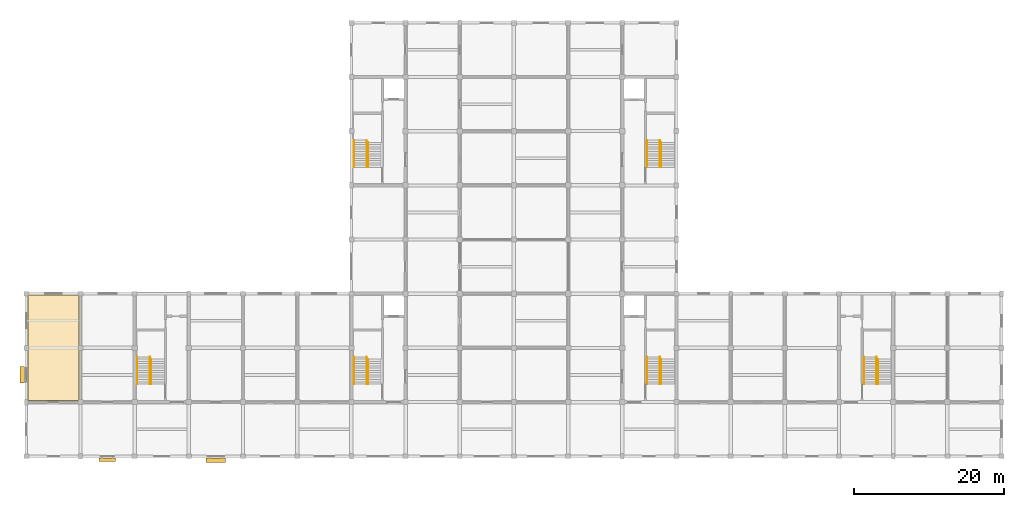
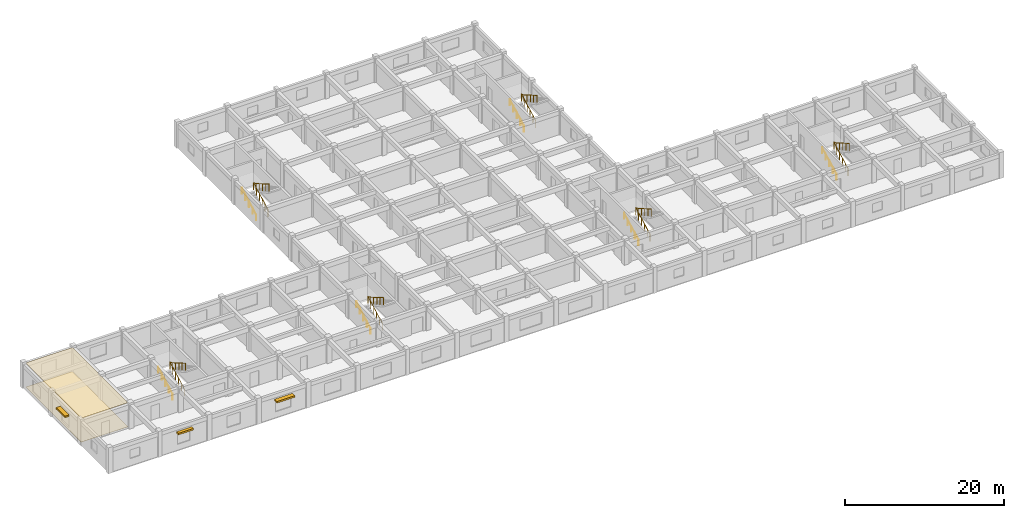
# One storey, part 11 of 11: 12 railings, 3 shading devices, 2 coverings.
"""IFC4 building model written with IfcOpenShell, lengths in metres."""

from ifc_helpers import new_model, si_unit, direction, frame, origin, origin_2d, place, context, subcontext, project, spatial, polyline, rectangle, circle, outline, extrude, material, layer, layer_set, type_object, element, save


model = new_model("IFC4")

# Units and contexts
model_context = context("Model", 3, precision=1e-05, world=origin(), true_north=direction((0.0, 1.0)))
body_context = subcontext(model_context, "Body", "Model", "MODEL_VIEW")
ifc_project = project(units=[si_unit("LENGTHUNIT", "METRE"), si_unit("AREAUNIT", "SQUARE_METRE"), si_unit("VOLUMEUNIT", "CUBIC_METRE"), si_unit("PLANEANGLEUNIT", "RADIAN"), si_unit("MASSUNIT", "GRAM", prefix="KILO")], contexts=[model_context])

# Site, building, storey
site_placement = place(None, origin())
site = spatial("IfcSite", under=ifc_project, at=site_placement, CompositionType="ELEMENT")
building_placement = place(site_placement, origin())
building = spatial("IfcBuilding", under=site, at=building_placement, Name="Cendaluz Park School", CompositionType="ELEMENT")
storey_placement = place(building_placement, frame((0.0, 0.0, 26.60009765625)))
storey = spatial("IfcBuildingStorey", under=building, at=storey_placement, Name="L06", CompositionType="ELEMENT", Elevation=26.60009765625)

# Coverings
ifc_material_1 = material(Name="Mineral Fibre Acoustic Tile")
ifc_layer_1 = layer(ifc_material_1, 0.030029296875)
ifc_layer_set_1 = layer_set([ifc_layer_1], Name="Mineral Fibre Acoustic Tile")
covering_type_1 = type_object("IfcCoveringType", Name="CV-CLG01", PredefinedType="CEILING", material=ifc_layer_set_1)
covering_1_placement = place(storey_placement, frame((0.0, 0.0, 3.699951171875)))
element("IfcCovering", 1, at=covering_1_placement, inside=storey, type_object=covering_type_1, Name="CV-CLG-L06-01", PredefinedType="CEILING", context=body_context, shape_type="SweptSolid", body=[
    extrude(outline(polyline([(21.800048828125, 14.60009765625), (28.60009765625, 14.60009765625), (28.60009765625, 28.60009765625), (21.800048828125, 28.60009765625), (21.800048828125, 14.60009765625)])), origin(), (0.0, 0.0, 1.0), 0.030029296875),
])
ifc_material_2 = material(Name="Polished Terrazzo Tile")
ifc_layer_2 = layer(ifc_material_2, 0.02001953125)
ifc_layer_set_2 = layer_set([ifc_layer_2], Name="Polished Terrazzo Tile")
covering_type_2 = type_object("IfcCoveringType", Name="CV-FLR01", PredefinedType="FLOORING", material=ifc_layer_set_2)
covering_2_placement = place(storey_placement, origin())
element("IfcCovering", 2, at=covering_2_placement, inside=storey, type_object=covering_type_2, Name="CV-FLR-L06-01", PredefinedType="FLOORING", context=body_context, shape_type="SweptSolid", body=[
    extrude(outline(polyline([(21.800048828125, 14.60009765625), (28.60009765625, 14.60009765625), (28.60009765625, 28.60009765625), (21.800048828125, 28.60009765625), (21.800048828125, 14.60009765625)])), origin(), (0.0, 0.0, 1.0), 0.02001953125),
])

# Railings
ifc_material_3 = material(Name="Wrought Iron")
railing_type_1 = type_object("IfcRailingType", Name="GR-ST01", PredefinedType="BALUSTRADE", material=ifc_material_3)
railing_1_placement = place(storey_placement, frame((66.840087890625, 16.800048828125, 0.159912109375)))
element("IfcRailing", 3, at=railing_1_placement, inside=storey, type_object=railing_type_1, Name="GR-ST-015", PredefinedType="BALUSTRADE", context=body_context, shape_type="SweptSolid", body=[
    extrude(circle(Radius=0.02392578125, at=origin_2d()), frame((0.0, 0.0, 1.076171875), z_axis=(0.0, 0.882352941176, 0.470588235294), x_axis=(-1.0, 0.0, 0.0)), (0.0, 0.0, 1.0), 4.079833984375),
    extrude(circle(Radius=0.02392578125, at=origin_2d()), frame((0.0, 3.599853515625, 2.99609375), z_axis=(0.493084071153, -0.86998166577, 0.0), x_axis=(0.86998166577, 0.493084071153, 0.0)), (0.0, 0.0, 1.0), 0.3447265625),
    extrude(circle(Radius=0.02392578125, at=origin_2d()), frame((0.169921875, 3.300048828125, 2.99609375), z_axis=(0.0, -0.86433267106, 0.502920504393), x_axis=(1.0, 0.0, 0.0)), (0.0, 0.0, 1.0), 3.818115234375),
    extrude(circle(Radius=0.02099609375, at=origin_2d()), origin(), (0.0, 0.0, 1.0), 1.052001953125),
    extrude(circle(Radius=0.02099609375, at=origin_2d()), frame((0.0, 0.719970703125, 0.384033203125)), (0.0, 0.0, 1.0), 1.052001953125),
    extrude(circle(Radius=0.02099609375, at=origin_2d()), frame((0.0, 1.43994140625, 0.76806640625)), (0.0, 0.0, 1.0), 1.052001953125),
    extrude(circle(Radius=0.02099609375, at=origin_2d()), frame((0.0, 2.159912109375, 1.15185546875)), (0.0, 0.0, 1.0), 1.052001953125),
    extrude(circle(Radius=0.02099609375, at=origin_2d()), frame((0.0, 2.8798828125, 1.535888671875)), (0.0, 0.0, 1.0), 1.052001953125),
    extrude(circle(Radius=0.02099609375, at=origin_2d()), frame((0.0, 3.599853515625, 1.919921875)), (0.0, 0.0, 1.0), 1.052001953125),
    extrude(circle(Radius=0.02099609375, at=origin_2d()), frame((0.169921875, 3.300048828125, 1.919921875)), (0.0, 0.0, 1.0), 1.052001953125),
    extrude(circle(Radius=0.02099609375, at=origin_2d()), frame((0.169921875, 2.47509765625, 2.39990234375)), (0.0, 0.0, 1.0), 1.052001953125),
    extrude(circle(Radius=0.02099609375, at=origin_2d()), frame((0.169921875, 1.64990234375, 2.8798828125)), (0.0, 0.0, 1.0), 1.052001953125),
    extrude(circle(Radius=0.02099609375, at=origin_2d()), frame((0.169921875, 0.824951171875, 3.360107421875)), (0.0, 0.0, 1.0), 1.052001953125),
    extrude(circle(Radius=0.02099609375, at=origin_2d()), frame((0.169921875, 0.0, 3.840087890625)), (0.0, 0.0, 1.0), 1.052001953125),
])
railing_2_placement = place(storey_placement, frame((105.7900390625, 16.800048828125, 0.159912109375)))
element("IfcRailing", 4, at=railing_2_placement, inside=storey, type_object=railing_type_1, Name="GR-ST-050", PredefinedType="BALUSTRADE", context=body_context, shape_type="SweptSolid", body=[
    extrude(circle(Radius=0.02392578125, at=origin_2d()), frame((0.0, 0.0, 1.076171875), z_axis=(0.0, 0.882352941176, 0.470588235294), x_axis=(-1.0, 0.0, 0.0)), (0.0, 0.0, 1.0), 4.079833984375),
    extrude(circle(Radius=0.02392578125, at=origin_2d()), frame((0.0, 3.599853515625, 2.99609375), z_axis=(0.493084071153, -0.86998166577, 0.0), x_axis=(0.86998166577, 0.493084071153, 0.0)), (0.0, 0.0, 1.0), 0.3447265625),
    extrude(circle(Radius=0.02392578125, at=origin_2d()), frame((0.169921875, 3.300048828125, 2.99609375), z_axis=(0.0, -0.86433267106, 0.502920504393), x_axis=(1.0, 0.0, 0.0)), (0.0, 0.0, 1.0), 3.818115234375),
    extrude(circle(Radius=0.02099609375, at=origin_2d()), origin(), (0.0, 0.0, 1.0), 1.052001953125),
    extrude(circle(Radius=0.02099609375, at=origin_2d()), frame((0.0, 0.719970703125, 0.384033203125)), (0.0, 0.0, 1.0), 1.052001953125),
    extrude(circle(Radius=0.02099609375, at=origin_2d()), frame((0.0, 1.43994140625, 0.76806640625)), (0.0, 0.0, 1.0), 1.052001953125),
    extrude(circle(Radius=0.02099609375, at=origin_2d()), frame((0.0, 2.159912109375, 1.15185546875)), (0.0, 0.0, 1.0), 1.052001953125),
    extrude(circle(Radius=0.02099609375, at=origin_2d()), frame((0.0, 2.8798828125, 1.535888671875)), (0.0, 0.0, 1.0), 1.052001953125),
    extrude(circle(Radius=0.02099609375, at=origin_2d()), frame((0.0, 3.599853515625, 1.919921875)), (0.0, 0.0, 1.0), 1.052001953125),
    extrude(circle(Radius=0.02099609375, at=origin_2d()), frame((0.169921875, 3.300048828125, 1.919921875)), (0.0, 0.0, 1.0), 1.052001953125),
    extrude(circle(Radius=0.02099609375, at=origin_2d()), frame((0.169921875, 2.47509765625, 2.39990234375)), (0.0, 0.0, 1.0), 1.052001953125),
    extrude(circle(Radius=0.02099609375, at=origin_2d()), frame((0.169921875, 1.64990234375, 2.8798828125)), (0.0, 0.0, 1.0), 1.052001953125),
    extrude(circle(Radius=0.02099609375, at=origin_2d()), frame((0.169921875, 0.824951171875, 3.360107421875)), (0.0, 0.0, 1.0), 1.052001953125),
    extrude(circle(Radius=0.02099609375, at=origin_2d()), frame((0.169921875, 0.0, 3.840087890625)), (0.0, 0.0, 1.0), 1.052001953125),
])
railing_3_placement = place(storey_placement, frame((66.840087890625, 45.60009765625, 0.159912109375)))
element("IfcRailing", 5, at=railing_3_placement, inside=storey, type_object=railing_type_1, Name="GR-ST-085", PredefinedType="BALUSTRADE", context=body_context, shape_type="SweptSolid", body=[
    extrude(circle(Radius=0.02392578125, at=origin_2d()), frame((0.0, 0.0, 1.076171875), z_axis=(0.0, 0.882352941176, 0.470588235294), x_axis=(-1.0, 0.0, 0.0)), (0.0, 0.0, 1.0), 4.079833984375),
    extrude(circle(Radius=0.02392578125, at=origin_2d()), frame((0.0, 3.599853515625, 2.99609375), z_axis=(0.492780319847, -0.870153754443, 0.0), x_axis=(0.870153754443, 0.492780319847, 0.0)), (0.0, 0.0, 1.0), 0.3447265625),
    extrude(circle(Radius=0.02392578125, at=origin_2d()), frame((0.169921875, 3.2998046875, 2.99609375), z_axis=(0.0, -0.864316496394, 0.502948301579), x_axis=(1.0, 0.0, 0.0)), (0.0, 0.0, 1.0), 3.81787109375),
    extrude(circle(Radius=0.02099609375, at=origin_2d()), origin(), (0.0, 0.0, 1.0), 1.052001953125),
    extrude(circle(Radius=0.02099609375, at=origin_2d()), frame((0.0, 0.719970703125, 0.384033203125)), (0.0, 0.0, 1.0), 1.052001953125),
    extrude(circle(Radius=0.02099609375, at=origin_2d()), frame((0.0, 1.43994140625, 0.76806640625)), (0.0, 0.0, 1.0), 1.052001953125),
    extrude(circle(Radius=0.02099609375, at=origin_2d()), frame((0.0, 2.159912109375, 1.15185546875)), (0.0, 0.0, 1.0), 1.052001953125),
    extrude(circle(Radius=0.02099609375, at=origin_2d()), frame((0.0, 2.8798828125, 1.535888671875)), (0.0, 0.0, 1.0), 1.052001953125),
    extrude(circle(Radius=0.02099609375, at=origin_2d()), frame((0.0, 3.599853515625, 1.919921875)), (0.0, 0.0, 1.0), 1.052001953125),
    extrude(circle(Radius=0.02099609375, at=origin_2d()), frame((0.169921875, 3.2998046875, 1.919921875)), (0.0, 0.0, 1.0), 1.052001953125),
    extrude(circle(Radius=0.02099609375, at=origin_2d()), frame((0.169921875, 2.474853515625, 2.39990234375)), (0.0, 0.0, 1.0), 1.052001953125),
    extrude(circle(Radius=0.02099609375, at=origin_2d()), frame((0.169921875, 1.64990234375, 2.8798828125)), (0.0, 0.0, 1.0), 1.052001953125),
    extrude(circle(Radius=0.02099609375, at=origin_2d()), frame((0.169921875, 0.824951171875, 3.360107421875)), (0.0, 0.0, 1.0), 1.052001953125),
    extrude(circle(Radius=0.02099609375, at=origin_2d()), frame((0.169921875, 0.0, 3.840087890625)), (0.0, 0.0, 1.0), 1.052001953125),
])
railing_4_placement = place(storey_placement, frame((105.7900390625, 45.60009765625, 0.159912109375)))
element("IfcRailing", 6, at=railing_4_placement, inside=storey, type_object=railing_type_1, Name="GR-ST-120", PredefinedType="BALUSTRADE", context=body_context, shape_type="SweptSolid", body=[
    extrude(circle(Radius=0.02392578125, at=origin_2d()), frame((0.0, 0.0, 1.076171875), z_axis=(0.0, 0.882352941176, 0.470588235294), x_axis=(-1.0, 0.0, 0.0)), (0.0, 0.0, 1.0), 4.079833984375),
    extrude(circle(Radius=0.02392578125, at=origin_2d()), frame((0.0, 3.599853515625, 2.99609375), z_axis=(0.492780319847, -0.870153754443, 0.0), x_axis=(0.870153754443, 0.492780319847, 0.0)), (0.0, 0.0, 1.0), 0.3447265625),
    extrude(circle(Radius=0.02392578125, at=origin_2d()), frame((0.169921875, 3.2998046875, 2.99609375), z_axis=(0.0, -0.864316496394, 0.502948301579), x_axis=(1.0, 0.0, 0.0)), (0.0, 0.0, 1.0), 3.81787109375),
    extrude(circle(Radius=0.02099609375, at=origin_2d()), origin(), (0.0, 0.0, 1.0), 1.052001953125),
    extrude(circle(Radius=0.02099609375, at=origin_2d()), frame((0.0, 0.719970703125, 0.384033203125)), (0.0, 0.0, 1.0), 1.052001953125),
    extrude(circle(Radius=0.02099609375, at=origin_2d()), frame((0.0, 1.43994140625, 0.76806640625)), (0.0, 0.0, 1.0), 1.052001953125),
    extrude(circle(Radius=0.02099609375, at=origin_2d()), frame((0.0, 2.159912109375, 1.15185546875)), (0.0, 0.0, 1.0), 1.052001953125),
    extrude(circle(Radius=0.02099609375, at=origin_2d()), frame((0.0, 2.8798828125, 1.535888671875)), (0.0, 0.0, 1.0), 1.052001953125),
    extrude(circle(Radius=0.02099609375, at=origin_2d()), frame((0.0, 3.599853515625, 1.919921875)), (0.0, 0.0, 1.0), 1.052001953125),
    extrude(circle(Radius=0.02099609375, at=origin_2d()), frame((0.169921875, 3.2998046875, 1.919921875)), (0.0, 0.0, 1.0), 1.052001953125),
    extrude(circle(Radius=0.02099609375, at=origin_2d()), frame((0.169921875, 2.474853515625, 2.39990234375)), (0.0, 0.0, 1.0), 1.052001953125),
    extrude(circle(Radius=0.02099609375, at=origin_2d()), frame((0.169921875, 1.64990234375, 2.8798828125)), (0.0, 0.0, 1.0), 1.052001953125),
    extrude(circle(Radius=0.02099609375, at=origin_2d()), frame((0.169921875, 0.824951171875, 3.360107421875)), (0.0, 0.0, 1.0), 1.052001953125),
    extrude(circle(Radius=0.02099609375, at=origin_2d()), frame((0.169921875, 0.0, 3.840087890625)), (0.0, 0.0, 1.0), 1.052001953125),
])
railing_5_placement = place(storey_placement, frame((38.0400390625, 16.800048828125, 0.159912109375)))
element("IfcRailing", 7, at=railing_5_placement, inside=storey, type_object=railing_type_1, Name="GR-ST-155", PredefinedType="BALUSTRADE", context=body_context, shape_type="SweptSolid", body=[
    extrude(circle(Radius=0.02392578125, at=origin_2d()), frame((0.0, 0.0, 1.076171875), z_axis=(0.0, 0.882352941176, 0.470588235294), x_axis=(-1.0, 0.0, 0.0)), (0.0, 0.0, 1.0), 4.079833984375),
    extrude(circle(Radius=0.02392578125, at=origin_2d()), frame((0.0, 3.599853515625, 2.99609375), z_axis=(0.493084071153, -0.86998166577, 0.0), x_axis=(0.86998166577, 0.493084071153, 0.0)), (0.0, 0.0, 1.0), 0.3447265625),
    extrude(circle(Radius=0.02392578125, at=origin_2d()), frame((0.169921875, 3.300048828125, 2.99609375), z_axis=(0.0, -0.86433267106, 0.502920504393), x_axis=(1.0, 0.0, 0.0)), (0.0, 0.0, 1.0), 3.818115234375),
    extrude(circle(Radius=0.02099609375, at=origin_2d()), origin(), (0.0, 0.0, 1.0), 1.052001953125),
    extrude(circle(Radius=0.02099609375, at=origin_2d()), frame((0.0, 0.719970703125, 0.384033203125)), (0.0, 0.0, 1.0), 1.052001953125),
    extrude(circle(Radius=0.02099609375, at=origin_2d()), frame((0.0, 1.43994140625, 0.76806640625)), (0.0, 0.0, 1.0), 1.052001953125),
    extrude(circle(Radius=0.02099609375, at=origin_2d()), frame((0.0, 2.159912109375, 1.15185546875)), (0.0, 0.0, 1.0), 1.052001953125),
    extrude(circle(Radius=0.02099609375, at=origin_2d()), frame((0.0, 2.8798828125, 1.535888671875)), (0.0, 0.0, 1.0), 1.052001953125),
    extrude(circle(Radius=0.02099609375, at=origin_2d()), frame((0.0, 3.599853515625, 1.919921875)), (0.0, 0.0, 1.0), 1.052001953125),
    extrude(circle(Radius=0.02099609375, at=origin_2d()), frame((0.169921875, 3.300048828125, 1.919921875)), (0.0, 0.0, 1.0), 1.052001953125),
    extrude(circle(Radius=0.02099609375, at=origin_2d()), frame((0.169921875, 2.47509765625, 2.39990234375)), (0.0, 0.0, 1.0), 1.052001953125),
    extrude(circle(Radius=0.02099609375, at=origin_2d()), frame((0.169921875, 1.64990234375, 2.8798828125)), (0.0, 0.0, 1.0), 1.052001953125),
    extrude(circle(Radius=0.02099609375, at=origin_2d()), frame((0.169921875, 0.824951171875, 3.360107421875)), (0.0, 0.0, 1.0), 1.052001953125),
    extrude(circle(Radius=0.02099609375, at=origin_2d()), frame((0.169921875, 0.0, 3.840087890625)), (0.0, 0.0, 1.0), 1.052001953125),
])
railing_6_placement = place(storey_placement, frame((134.590087890625, 16.800048828125, 0.159912109375)))
element("IfcRailing", 8, at=railing_6_placement, inside=storey, type_object=railing_type_1, Name="GR-ST-172", PredefinedType="BALUSTRADE", context=body_context, shape_type="SweptSolid", body=[
    extrude(circle(Radius=0.02392578125, at=origin_2d()), frame((0.0, 0.0, 1.076171875), z_axis=(0.0, 0.882352941176, 0.470588235294), x_axis=(-1.0, 0.0, 0.0)), (0.0, 0.0, 1.0), 4.079833984375),
    extrude(circle(Radius=0.02392578125, at=origin_2d()), frame((0.0, 3.599853515625, 2.99609375), z_axis=(0.493084071153, -0.86998166577, 0.0), x_axis=(0.86998166577, 0.493084071153, 0.0)), (0.0, 0.0, 1.0), 0.3447265625),
    extrude(circle(Radius=0.02392578125, at=origin_2d()), frame((0.169921875, 3.300048828125, 2.99609375), z_axis=(0.0, -0.86433267106, 0.502920504393), x_axis=(1.0, 0.0, 0.0)), (0.0, 0.0, 1.0), 3.818115234375),
    extrude(circle(Radius=0.02099609375, at=origin_2d()), origin(), (0.0, 0.0, 1.0), 1.052001953125),
    extrude(circle(Radius=0.02099609375, at=origin_2d()), frame((0.0, 0.719970703125, 0.384033203125)), (0.0, 0.0, 1.0), 1.052001953125),
    extrude(circle(Radius=0.02099609375, at=origin_2d()), frame((0.0, 1.43994140625, 0.76806640625)), (0.0, 0.0, 1.0), 1.052001953125),
    extrude(circle(Radius=0.02099609375, at=origin_2d()), frame((0.0, 2.159912109375, 1.15185546875)), (0.0, 0.0, 1.0), 1.052001953125),
    extrude(circle(Radius=0.02099609375, at=origin_2d()), frame((0.0, 2.8798828125, 1.535888671875)), (0.0, 0.0, 1.0), 1.052001953125),
    extrude(circle(Radius=0.02099609375, at=origin_2d()), frame((0.0, 3.599853515625, 1.919921875)), (0.0, 0.0, 1.0), 1.052001953125),
    extrude(circle(Radius=0.02099609375, at=origin_2d()), frame((0.169921875, 3.300048828125, 1.919921875)), (0.0, 0.0, 1.0), 1.052001953125),
    extrude(circle(Radius=0.02099609375, at=origin_2d()), frame((0.169921875, 2.47509765625, 2.39990234375)), (0.0, 0.0, 1.0), 1.052001953125),
    extrude(circle(Radius=0.02099609375, at=origin_2d()), frame((0.169921875, 1.64990234375, 2.8798828125)), (0.0, 0.0, 1.0), 1.052001953125),
    extrude(circle(Radius=0.02099609375, at=origin_2d()), frame((0.169921875, 0.824951171875, 3.360107421875)), (0.0, 0.0, 1.0), 1.052001953125),
    extrude(circle(Radius=0.02099609375, at=origin_2d()), frame((0.169921875, 0.0, 3.840087890625)), (0.0, 0.0, 1.0), 1.052001953125),
])
ifc_material_4 = material(Name="Architectural Bronze")
railing_type_2 = type_object("IfcRailingType", Name="HR-ST01", PredefinedType="HANDRAIL", material=ifc_material_4)
for number, where, name in (
    (9, (65.14990234375, 16.800048828125, 0.159912109375), "HR-ST-016"),
    (10, (104.10009765625, 16.800048828125, 0.159912109375), "HR-ST-051"),
    (11, (65.14990234375, 45.60009765625, 0.159912109375), "HR-ST-086"),
    (12, (104.10009765625, 45.60009765625, 0.159912109375), "HR-ST-121"),
    (13, (36.35009765625, 16.800048828125, 0.159912109375), "HR-ST-156"),
    (14, (132.89990234375, 16.800048828125, 0.159912109375), "HR-ST-173"),
):
    element("IfcRailing", number, at=place(storey_placement, frame(where)), inside=storey, type_object=railing_type_2, Name=name, PredefinedType="HANDRAIL", context=body_context, shape_type="SweptSolid", body=[
        extrude(circle(Radius=0.02392578125, at=origin_2d()), frame((0.0, 0.0, 0.8759765625), z_axis=(0.0, 0.882352941176, 0.470588235294), x_axis=(-1.0, 0.0, 0.0)), (0.0, 0.0, 1.0), 4.079833984375),
        extrude(circle(Radius=0.02099609375, at=origin_2d()), origin(), (0.0, 0.0, 1.0), 0.851806640625),
        extrude(circle(Radius=0.02099609375, at=origin_2d()), frame((0.0, 0.89990234375, 0.47998046875)), (0.0, 0.0, 1.0), 0.851806640625),
        extrude(circle(Radius=0.02099609375, at=origin_2d()), frame((0.0, 1.7998046875, 0.9599609375)), (0.0, 0.0, 1.0), 0.851806640625),
        extrude(circle(Radius=0.02099609375, at=origin_2d()), frame((0.0, 2.699951171875, 1.43994140625)), (0.0, 0.0, 1.0), 0.851806640625),
        extrude(circle(Radius=0.02099609375, at=origin_2d()), frame((0.0, 3.599853515625, 1.919921875)), (0.0, 0.0, 1.0), 0.851806640625),
    ])

# Shading devices
ifc_material_5 = material(Name="Anodised Aluminium 6063-T6", Category="aluminium")
shading_device_type_1 = type_object("IfcShadingDeviceType", Name="SD-01", PredefinedType="JALOUSIE", material=ifc_material_5)
shading_device_1_placement = place(storey_placement, frame((21.06005859375, 18.02490234375, 2.7197265625), z_axis=(0.0, 0.0, 1.0), x_axis=(0.0, 1.0, 0.0)))
element("IfcShadingDevice", 15, at=shading_device_1_placement, inside=storey, type_object=shading_device_type_1, Name="SD-L06-086", PredefinedType="JALOUSIE", context=body_context, shape_type="SweptSolid", body=[
    extrude(rectangle(XDim=2.199951171875, YDim=0.60009765625, at=origin_2d()), origin(), (0.0, 0.0, 1.0), 0.239990234375),
])
shading_device_2_placement = place(storey_placement, frame((46.800048828125, 6.659912109375, 2.7197265625), z_axis=(0.0, 0.0, 1.0), x_axis=(1.0, 0.0, 0.0)))
element("IfcShadingDevice", 16, at=shading_device_2_placement, inside=storey, type_object=shading_device_type_1, Name="SD-L06-088", PredefinedType="JALOUSIE", context=body_context, shape_type="SweptSolid", body=[
    extrude(rectangle(XDim=2.60009765625, YDim=0.60009765625, at=origin_2d()), origin(), (0.0, 0.0, 1.0), 0.239990234375),
])
shading_device_type_2 = type_object("IfcShadingDeviceType", Name="SD-02", PredefinedType="SHUTTER", material=ifc_material_4)
shading_device_3_placement = place(storey_placement, frame((32.362548828125, 6.735107421875, 2.7197265625), z_axis=(0.0, 0.0, 1.0), x_axis=(1.0, 0.0, 0.0)))
element("IfcShadingDevice", 17, at=shading_device_3_placement, inside=storey, type_object=shading_device_type_2, Name="SD-L06-087", PredefinedType="SHUTTER", context=body_context, shape_type="SweptSolid", body=[
    extrude(rectangle(XDim=2.199951171875, YDim=0.449951171875, at=origin_2d()), origin(), (0.0, 0.0, 1.0), 0.239990234375),
])

save(model, "model.ifc")
